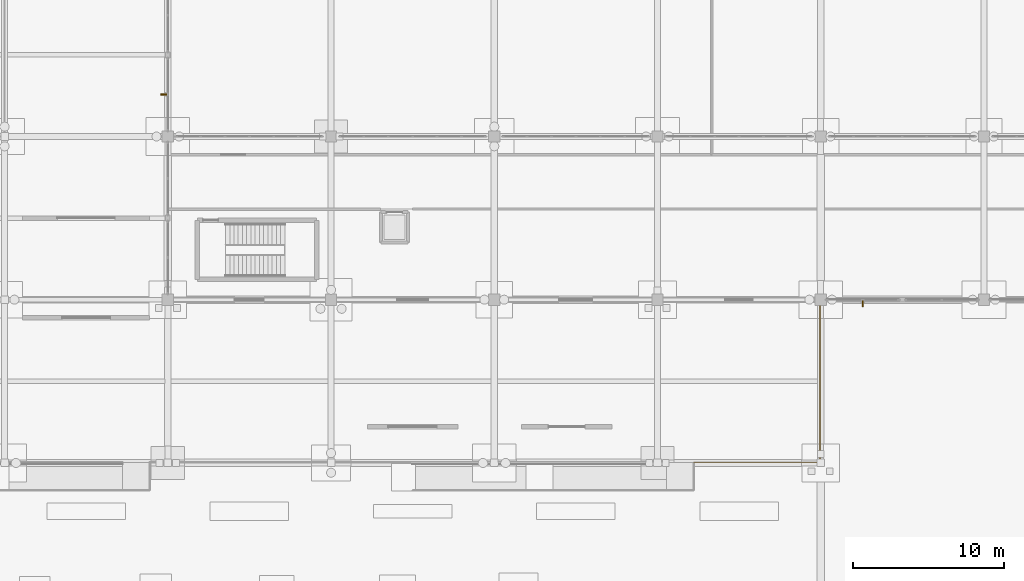
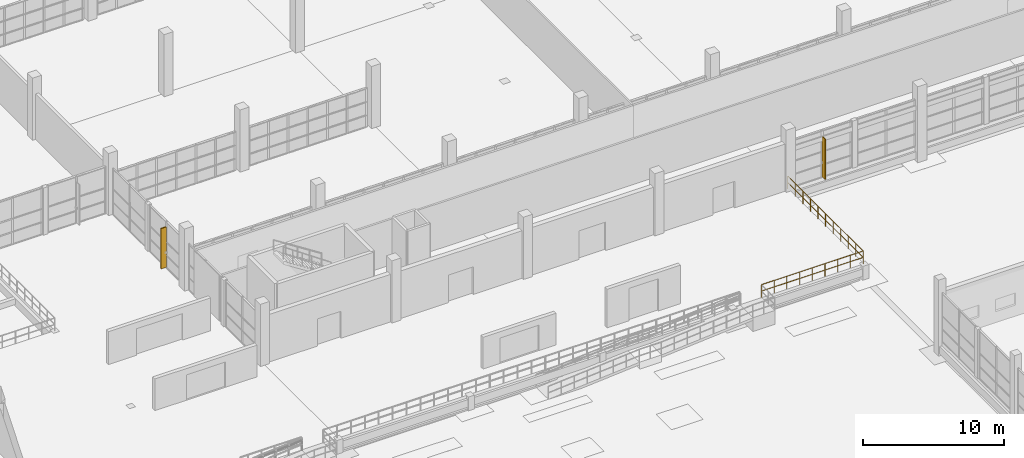
# One storey, part 128 of 138: 2 shading devices, 1 railing.
"""IFC4 building model written with IfcOpenShell, lengths in metres."""

import ifcopenshell
import ifcopenshell.guid

model = None  # the IFC model being written
_history = None  # IfcOwnerHistory: only IFC2X3 demands one
_inside = {}  # id of a spatial element -> (the spatial element, [elements in it])
_under = {}  # id of a project, library or spatial element -> (it, [spatial elements below it])
_declared = {}  # id of a project -> (the project, [libraries it declares])
_typed = {}  # id of a type object -> (the type object, [elements of that type])
_made_of = {}  # id of a material, layer set ... -> (it, [elements and type objects made of it])


def new_model(schema):
    """Start an empty IFC model of exactly this schema.

    Asked for "IFC4X3", IfcOpenShell would pick the latest addendum, in which some entities
    have other attributes; the version numbers below select the first issue.
    IFC2X3 requires an IfcOwnerHistory on every rooted entity: one is made here for all.
    """
    global model, _history
    if schema == "IFC4X3":
        model = ifcopenshell.file(schema_version=(4, 3, 0, 0))
    else:
        model = ifcopenshell.file(schema=schema)
    _inside.clear()
    _under.clear()
    _declared.clear()
    _typed.clear()
    _made_of.clear()
    _history = None
    if model.schema == "IFC2X3":
        org = make("IfcOrganization", Name="unknown")
        user = make(
            "IfcPersonAndOrganization",
            ThePerson=make("IfcPerson", FamilyName="unknown"),
            TheOrganization=org,
        )
        app = make(
            "IfcApplication",
            ApplicationDeveloper=org,
            Version="unknown",
            ApplicationFullName="unknown",
            ApplicationIdentifier="unknown",
        )
        _history = make(
            "IfcOwnerHistory",
            OwningUser=user,
            OwningApplication=app,
            ChangeAction="ADDED",
            CreationDate=0,
        )
    return model


def make(cls, **values):
    """One entity of the class cls with the attributes given. An attribute that is None is left unset."""
    return model.create_entity(
        cls, **{name: value for name, value in values.items() if value is not None}
    )


def rooted(cls, **values):
    """An entity with a GlobalId (a new one), such as an element, a storey or a relation."""
    return make(cls, GlobalId=ifcopenshell.guid.new(), OwnerHistory=_history, **values)


def si_unit(unit_type, name, prefix=None):
    """IfcSIUnit, for example si_unit("LENGTHUNIT", "METRE", prefix="MILLI")."""
    return make("IfcSIUnit", UnitType=unit_type, Prefix=prefix, Name=name)


def assignment(units):
    """IfcUnitAssignment: the units of a project."""
    return None if units is None else make("IfcUnitAssignment", Units=units)


def point(xyz):
    """IfcCartesianPoint."""
    return None if xyz is None else make("IfcCartesianPoint", Coordinates=xyz)


def direction(xyz):
    """IfcDirection."""
    return None if xyz is None else make("IfcDirection", DirectionRatios=xyz)


def frame(location, z_axis=None, x_axis=None):
    """IfcAxis2Placement3D, a coordinate frame: its origin and axes. An axis left out is left unset."""
    return make(
        "IfcAxis2Placement3D",
        Location=point(location),
        Axis=direction(z_axis),
        RefDirection=direction(x_axis),
    )


def frame_2d(location, x_axis=None):
    """IfcAxis2Placement2D, a coordinate frame in the plane: its origin and x axis."""
    return make(
        "IfcAxis2Placement2D", Location=point(location), RefDirection=direction(x_axis)
    )


def origin():
    """The frame at (0, 0, 0) with its axes left unset."""
    return frame((0.0, 0.0, 0.0))


def origin_2d():
    """The frame at (0, 0) in the plane with its x axis left unset."""
    return frame_2d((0.0, 0.0))


def place(relative_to, where):
    """IfcLocalPlacement: puts the frame where relative to a parent placement (None: the world)."""
    return make(
        "IfcLocalPlacement", PlacementRelTo=relative_to, RelativePlacement=where
    )


def context(
    kind, dimensions, precision=None, world=None, true_north=None, identifier=None
):
    """IfcGeometricRepresentationContext, for example the 3D "Model" context."""
    return make(
        "IfcGeometricRepresentationContext",
        ContextIdentifier=identifier,
        ContextType=kind,
        CoordinateSpaceDimension=dimensions,
        Precision=precision,
        WorldCoordinateSystem=world,
        TrueNorth=true_north,
    )


def subcontext(parent, identifier, kind, view, scale=None):
    """IfcGeometricRepresentationSubContext, for example "Body" below "Model"."""
    return make(
        "IfcGeometricRepresentationSubContext",
        ContextIdentifier=identifier,
        ContextType=kind,
        ParentContext=parent,
        TargetScale=scale,
        TargetView=view,
    )


def project(units=None, contexts=None):
    """IfcProject with its units and contexts."""
    return rooted(
        "IfcProject",
        Name="project",
        RepresentationContexts=contexts,
        UnitsInContext=assignment(units),
    )


def spatial(cls, under=None, at=None, **own):
    """A site, building, storey or space (cls), placed at a placement, below another one or the project."""
    s = rooted(cls, ObjectPlacement=at, **own)
    if under is not None:
        _under.setdefault(under.id(), (under, []))[1].append(s)
    return s


def profile(cls, at=None, kind="AREA", **sizes):
    """A parametric profile (cls). Its sizes go by their IFC names, for example OverallWidth=200.0."""
    return make(cls, ProfileType=kind, Position=at, **sizes)


def rectangle(**sizes):
    """IfcRectangleProfileDef."""
    return profile("IfcRectangleProfileDef", **sizes)


def circle(**sizes):
    """IfcCircleProfileDef."""
    return profile("IfcCircleProfileDef", **sizes)


def extrude(swept, where, along, depth):
    """IfcExtrudedAreaSolid: the profile swept, set in the frame where, extruded along a direction by depth."""
    return make(
        "IfcExtrudedAreaSolid",
        SweptArea=swept,
        Position=where,
        ExtrudedDirection=direction(along),
        Depth=depth,
    )


def shape(context_of_items, identifier, shape_type, items):
    """IfcShapeRepresentation: the items that make up one representation, for example the "Body"."""
    return make(
        "IfcShapeRepresentation",
        ContextOfItems=context_of_items,
        RepresentationIdentifier=identifier,
        RepresentationType=shape_type,
        Items=items,
    )


def material(Name=None, Category=None):
    """IfcMaterial."""
    return make("IfcMaterial", Name=Name, Category=Category)


def made_of(thing, what):
    """Note that an element or type object is made of a material, layer set ...; save() writes the relation."""
    if what is not None:
        _made_of.setdefault(what.id(), (what, []))[1].append(thing)
    return thing


def type_object(cls, material=None, **own):
    """A type object (cls), such as IfcWallType, which elements share."""
    return made_of(rooted(cls, **own), material)


def element(
    cls,
    number,
    at=None,
    inside=None,
    cuts=None,
    type_object=None,
    material=None,
    context=None,
    identifier="Body",
    shape_type=None,
    held_by="IfcProductDefinitionShape",
    body=None,
    shapes=None,
    **own,
):
    """One element of the class cls, such as IfcWall. Its Tag is "e" and its number.

    at: its placement. inside: the storey or other place that contains it. cuts: it is an
    opening in that element (IfcRelVoidsElement). A single representation is given by context,
    identifier, shape_type and body (its items); several are given by shapes. held_by: the class
    of the entity that holds the representations. save() writes the other relations.
    """
    e = rooted(cls, Tag="e%d" % number, ObjectPlacement=at, **own)
    if body is not None:
        shapes = [shape(context, identifier, shape_type, body)]
    if shapes is not None:
        e.Representation = make(held_by, Representations=shapes)
    if inside is not None:
        _inside.setdefault(inside.id(), (inside, []))[1].append(e)
    if cuts is not None:
        rooted(
            "IfcRelVoidsElement", RelatingBuildingElement=cuts, RelatedOpeningElement=e
        )
    if type_object is not None:
        _typed.setdefault(type_object.id(), (type_object, []))[1].append(e)
    return made_of(e, material)


def aggregate(whole, parts):
    """IfcRelAggregates: a whole, such as a stair, and the parts it consists of."""
    return rooted("IfcRelAggregates", RelatingObject=whole, RelatedObjects=parts)


def save(model, path):
    """Write the relations noted so far, then the file.

    IfcRelAggregates (storeys below a building ...), IfcRelContainedInSpatialStructure (elements
    in a storey), IfcRelDefinesByType, IfcRelAssociatesMaterial and IfcRelDeclares: one each for
    every whole, place, type object, material and project.
    """
    for whole, parts in _under.values():
        aggregate(whole, parts)
    for where, things in _inside.values():
        rooted(
            "IfcRelContainedInSpatialStructure",
            RelatedElements=things,
            RelatingStructure=where,
        )
    for kind, things in _typed.values():
        rooted("IfcRelDefinesByType", RelatedObjects=things, RelatingType=kind)
    for what, things in _made_of.values():
        rooted("IfcRelAssociatesMaterial", RelatedObjects=things, RelatingMaterial=what)
    for by, libraries in _declared.values():
        rooted("IfcRelDeclares", RelatingContext=by, RelatedDefinitions=libraries)
    model.write(path)


model = new_model("IFC4")

# Units and contexts
model_context = context("Model", 3, precision=1e-05, world=origin(), true_north=direction((0.0, 1.0)))
body_context = subcontext(model_context, "Body", "Model", "MODEL_VIEW")
ifc_project = project(units=[si_unit("LENGTHUNIT", "METRE"), si_unit("AREAUNIT", "SQUARE_METRE"), si_unit("VOLUMEUNIT", "CUBIC_METRE"), si_unit("PLANEANGLEUNIT", "RADIAN"), si_unit("MASSUNIT", "GRAM", prefix="KILO")], contexts=[model_context])

# Site, building, storey
site_placement = place(None, origin())
site = spatial("IfcSite", under=ifc_project, at=site_placement, CompositionType="ELEMENT")
building_placement = place(site_placement, origin())
building = spatial("IfcBuilding", under=site, at=building_placement, Name="Zwinboog Wholesale Market", CompositionType="ELEMENT")
storey_placement = place(building_placement, origin())
storey = spatial("IfcBuildingStorey", under=building, at=storey_placement, Name="L00", CompositionType="ELEMENT", Elevation=0.0)

# Shading devices
ifc_material_1 = material(Name="Western red cedar timber", Category="wood")
shading_device_type = type_object("IfcShadingDeviceType", Name="SHD-FIN-CEDAR", PredefinedType="USERDEFINED", material=ifc_material_1)
for number, where, z_axis, x_axis, name in (
    (1, (64.530029296875, 56.784912109375, 0.080078125), (0.0, 0.0, 1.0), (1.0, 0.0, 0.0), "FN-01 (SHD-FIN-011)"),
    (2, (110.784912109375, 42.929931640625, 0.080078125), (0.0, 0.0, 1.0), (0.0, 1.0, 0.0), "FN-01 (SHD-FIN-013)"),
):
    element("IfcShadingDevice", number, at=place(storey_placement, frame(where, z_axis=z_axis, x_axis=x_axis)), inside=storey, type_object=shading_device_type, Name=name, ObjectType="FIN", PredefinedType="USERDEFINED", context=body_context, shape_type="SweptSolid", body=[
        extrude(rectangle(XDim=0.419921875, YDim=0.0849609375, at=origin_2d()), origin(), (0.0, 0.0, 1.0), 3.5),
    ])

# Railing
ifc_material_2 = material(Name="Steel S355", Category="steel")
railing_type = type_object("IfcRailingType", Name="RLT-EXT-GUARD", PredefinedType="BALUSTRADE", material=ifc_material_2)
railing_placement = place(storey_placement, frame((99.60009765625, 32.449951171875, 0.0)))
element("IfcRailing", 3, at=railing_placement, inside=storey, type_object=railing_type, Name="GR-01 (RLG-EXT-04)", PredefinedType="BALUSTRADE", context=body_context, shape_type="SweptSolid", body=[
    extrude(circle(Radius=0.02392578125, at=origin_2d()), frame((0.0, 0.0, 1.09619140625), z_axis=(1.0, 0.0, 0.0), x_axis=(0.0, 1.0, 0.0)), (0.0, 0.0, 1.0), 8.349853515625),
    extrude(circle(Radius=0.02392578125, at=origin_2d()), frame((0.0, 0.0, 0.5361328125), z_axis=(1.0, 0.0, 0.0), x_axis=(0.0, 1.0, 0.0)), (0.0, 0.0, 1.0), 8.349853515625),
    extrude(circle(Radius=0.02392578125, at=origin_2d()), frame((8.349853515625, 0.0, 1.09619140625), z_axis=(0.0, 1.0, 0.0), x_axis=(-1.0, 0.0, 0.0)), (0.0, 0.0, 1.0), 10.699951171875),
    extrude(circle(Radius=0.02392578125, at=origin_2d()), frame((8.349853515625, 0.0, 0.5361328125), z_axis=(0.0, 1.0, 0.0), x_axis=(-1.0, 0.0, 0.0)), (0.0, 0.0, 1.0), 10.699951171875),
    extrude(circle(Radius=0.02099609375, at=origin_2d()), origin(), (0.0, 0.0, 1.0), 1.072021484375),
    extrude(circle(Radius=0.02099609375, at=origin_2d()), frame((1.043701171875, 0.0, 0.0)), (0.0, 0.0, 1.0), 1.072021484375),
    extrude(circle(Radius=0.02099609375, at=origin_2d()), frame((2.08740234375, 0.0, 0.0)), (0.0, 0.0, 1.0), 1.072021484375),
    extrude(circle(Radius=0.02099609375, at=origin_2d()), frame((3.131103515625, 0.0, 0.0)), (0.0, 0.0, 1.0), 1.072021484375),
    extrude(circle(Radius=0.02099609375, at=origin_2d()), frame((4.1748046875, 0.0, 0.0)), (0.0, 0.0, 1.0), 1.072021484375),
    extrude(circle(Radius=0.02099609375, at=origin_2d()), frame((5.21875, 0.0, 0.0)), (0.0, 0.0, 1.0), 1.072021484375),
    extrude(circle(Radius=0.02099609375, at=origin_2d()), frame((6.262451171875, 0.0, 0.0)), (0.0, 0.0, 1.0), 1.072021484375),
    extrude(circle(Radius=0.02099609375, at=origin_2d()), frame((7.30615234375, 0.0, 0.0)), (0.0, 0.0, 1.0), 1.072021484375),
    extrude(circle(Radius=0.02099609375, at=origin_2d()), frame((8.349853515625, 0.0, 0.0)), (0.0, 0.0, 1.0), 1.072021484375),
    extrude(circle(Radius=0.02099609375, at=origin_2d()), frame((8.349853515625, 1.070068359375, 0.0)), (0.0, 0.0, 1.0), 1.072021484375),
    extrude(circle(Radius=0.02099609375, at=origin_2d()), frame((8.349853515625, 2.139892578125, 0.0)), (0.0, 0.0, 1.0), 1.072021484375),
    extrude(circle(Radius=0.02099609375, at=origin_2d()), frame((8.349853515625, 3.2099609375, 0.0)), (0.0, 0.0, 1.0), 1.072021484375),
    extrude(circle(Radius=0.02099609375, at=origin_2d()), frame((8.349853515625, 4.280029296875, 0.0)), (0.0, 0.0, 1.0), 1.072021484375),
    extrude(circle(Radius=0.02099609375, at=origin_2d()), frame((8.349853515625, 5.35009765625, 0.0)), (0.0, 0.0, 1.0), 1.072021484375),
    extrude(circle(Radius=0.02099609375, at=origin_2d()), frame((8.349853515625, 6.419921875, 0.0)), (0.0, 0.0, 1.0), 1.072021484375),
    extrude(circle(Radius=0.02099609375, at=origin_2d()), frame((8.349853515625, 7.489990234375, 0.0)), (0.0, 0.0, 1.0), 1.072021484375),
    extrude(circle(Radius=0.02099609375, at=origin_2d()), frame((8.349853515625, 8.56005859375, 0.0)), (0.0, 0.0, 1.0), 1.072021484375),
    extrude(circle(Radius=0.02099609375, at=origin_2d()), frame((8.349853515625, 9.6298828125, 0.0)), (0.0, 0.0, 1.0), 1.072021484375),
    extrude(circle(Radius=0.02099609375, at=origin_2d()), frame((8.349853515625, 10.699951171875, 0.0)), (0.0, 0.0, 1.0), 1.072021484375),
])

save(model, "model.ifc")
